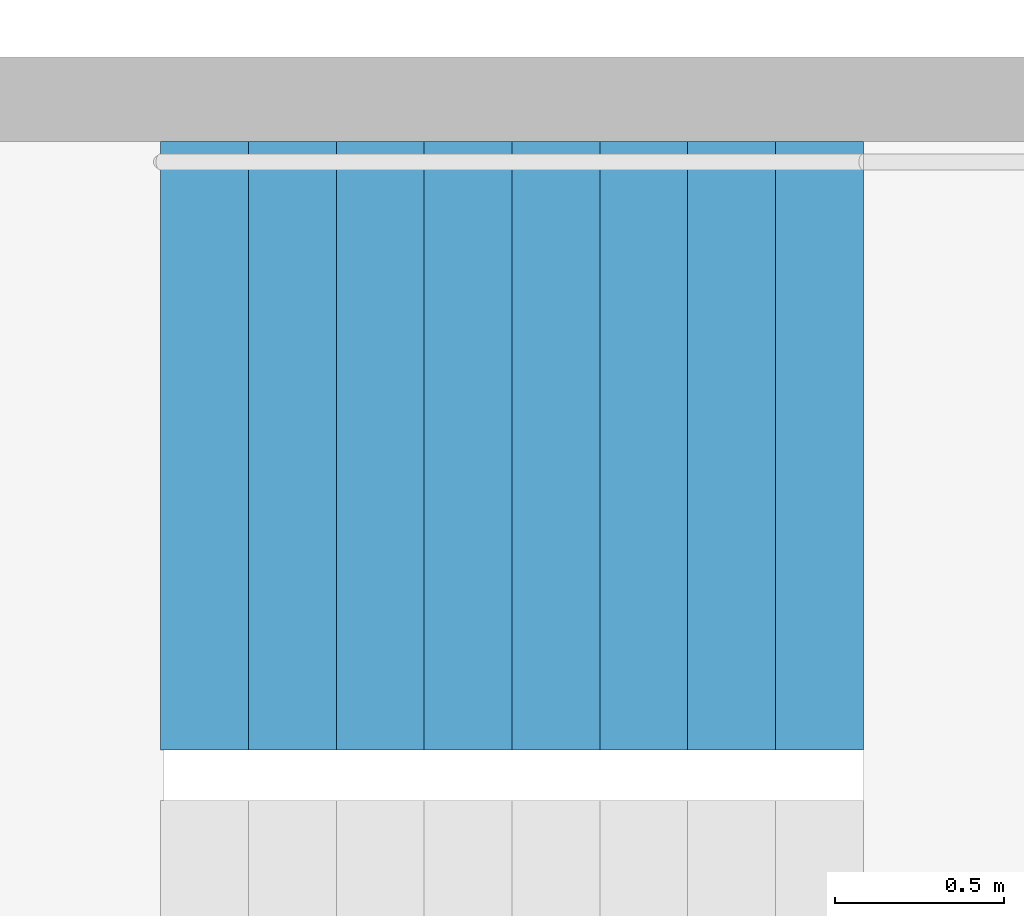
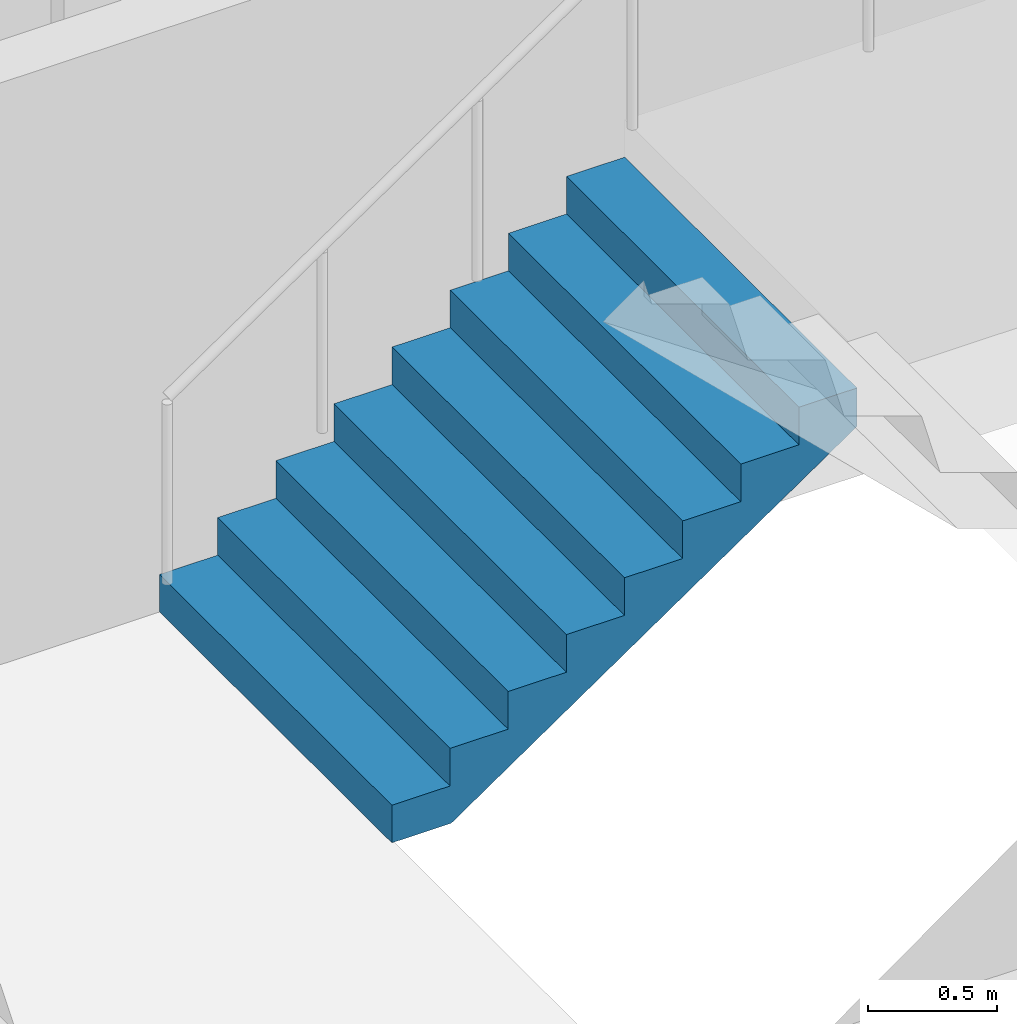
# One storey, part 23 of 26: 1 stair flight, 1 element without a shape of its own.
"""IFC4 building model written with IfcOpenShell, lengths in metres."""

import ifcopenshell
import ifcopenshell.guid

model = None  # the IFC model being written
_history = None  # IfcOwnerHistory: only IFC2X3 demands one
_inside = {}  # id of a spatial element -> (the spatial element, [elements in it])
_under = {}  # id of a project, library or spatial element -> (it, [spatial elements below it])
_declared = {}  # id of a project -> (the project, [libraries it declares])
_typed = {}  # id of a type object -> (the type object, [elements of that type])
_made_of = {}  # id of a material, layer set ... -> (it, [elements and type objects made of it])


def new_model(schema):
    """Start an empty IFC model of exactly this schema.

    Asked for "IFC4X3", IfcOpenShell would pick the latest addendum, in which some entities
    have other attributes; the version numbers below select the first issue.
    IFC2X3 requires an IfcOwnerHistory on every rooted entity: one is made here for all.
    """
    global model, _history
    if schema == "IFC4X3":
        model = ifcopenshell.file(schema_version=(4, 3, 0, 0))
    else:
        model = ifcopenshell.file(schema=schema)
    _inside.clear()
    _under.clear()
    _declared.clear()
    _typed.clear()
    _made_of.clear()
    _history = None
    if model.schema == "IFC2X3":
        org = make("IfcOrganization", Name="unknown")
        user = make(
            "IfcPersonAndOrganization",
            ThePerson=make("IfcPerson", FamilyName="unknown"),
            TheOrganization=org,
        )
        app = make(
            "IfcApplication",
            ApplicationDeveloper=org,
            Version="unknown",
            ApplicationFullName="unknown",
            ApplicationIdentifier="unknown",
        )
        _history = make(
            "IfcOwnerHistory",
            OwningUser=user,
            OwningApplication=app,
            ChangeAction="ADDED",
            CreationDate=0,
        )
    return model


def make(cls, **values):
    """One entity of the class cls with the attributes given. An attribute that is None is left unset."""
    return model.create_entity(
        cls, **{name: value for name, value in values.items() if value is not None}
    )


def rooted(cls, **values):
    """An entity with a GlobalId (a new one), such as an element, a storey or a relation."""
    return make(cls, GlobalId=ifcopenshell.guid.new(), OwnerHistory=_history, **values)


def si_unit(unit_type, name, prefix=None):
    """IfcSIUnit, for example si_unit("LENGTHUNIT", "METRE", prefix="MILLI")."""
    return make("IfcSIUnit", UnitType=unit_type, Prefix=prefix, Name=name)


def assignment(units):
    """IfcUnitAssignment: the units of a project."""
    return None if units is None else make("IfcUnitAssignment", Units=units)


def point(xyz):
    """IfcCartesianPoint."""
    return None if xyz is None else make("IfcCartesianPoint", Coordinates=xyz)


def direction(xyz):
    """IfcDirection."""
    return None if xyz is None else make("IfcDirection", DirectionRatios=xyz)


def frame(location, z_axis=None, x_axis=None):
    """IfcAxis2Placement3D, a coordinate frame: its origin and axes. An axis left out is left unset."""
    return make(
        "IfcAxis2Placement3D",
        Location=point(location),
        Axis=direction(z_axis),
        RefDirection=direction(x_axis),
    )


def origin():
    """The frame at (0, 0, 0) with its axes left unset."""
    return frame((0.0, 0.0, 0.0))


def place(relative_to, where):
    """IfcLocalPlacement: puts the frame where relative to a parent placement (None: the world)."""
    return make(
        "IfcLocalPlacement", PlacementRelTo=relative_to, RelativePlacement=where
    )


def context(
    kind, dimensions, precision=None, world=None, true_north=None, identifier=None
):
    """IfcGeometricRepresentationContext, for example the 3D "Model" context."""
    return make(
        "IfcGeometricRepresentationContext",
        ContextIdentifier=identifier,
        ContextType=kind,
        CoordinateSpaceDimension=dimensions,
        Precision=precision,
        WorldCoordinateSystem=world,
        TrueNorth=true_north,
    )


def subcontext(parent, identifier, kind, view, scale=None):
    """IfcGeometricRepresentationSubContext, for example "Body" below "Model"."""
    return make(
        "IfcGeometricRepresentationSubContext",
        ContextIdentifier=identifier,
        ContextType=kind,
        ParentContext=parent,
        TargetScale=scale,
        TargetView=view,
    )


def project(units=None, contexts=None):
    """IfcProject with its units and contexts."""
    return rooted(
        "IfcProject",
        Name="project",
        RepresentationContexts=contexts,
        UnitsInContext=assignment(units),
    )


def spatial(cls, under=None, at=None, **own):
    """A site, building, storey or space (cls), placed at a placement, below another one or the project."""
    s = rooted(cls, ObjectPlacement=at, **own)
    if under is not None:
        _under.setdefault(under.id(), (under, []))[1].append(s)
    return s


def point_list(points):
    """IfcCartesianPointList2D or 3D."""
    cls = (
        "IfcCartesianPointList2D" if len(points[0]) == 2 else "IfcCartesianPointList3D"
    )
    return make(cls, CoordList=points)


def triangles(points, corners, closed=None, point_numbers=None):
    """IfcTriangulatedFaceSet: each triangle names its three corners, points numbered from 1."""
    return make(
        "IfcTriangulatedFaceSet",
        Coordinates=point_list(points),
        Closed=closed,
        CoordIndex=corners,
        PnIndex=point_numbers,
    )


def shape(context_of_items, identifier, shape_type, items):
    """IfcShapeRepresentation: the items that make up one representation, for example the "Body"."""
    return make(
        "IfcShapeRepresentation",
        ContextOfItems=context_of_items,
        RepresentationIdentifier=identifier,
        RepresentationType=shape_type,
        Items=items,
    )


def material(Name=None, Category=None):
    """IfcMaterial."""
    return make("IfcMaterial", Name=Name, Category=Category)


def made_of(thing, what):
    """Note that an element or type object is made of a material, layer set ...; save() writes the relation."""
    if what is not None:
        _made_of.setdefault(what.id(), (what, []))[1].append(thing)
    return thing


def type_object(cls, material=None, **own):
    """A type object (cls), such as IfcWallType, which elements share."""
    return made_of(rooted(cls, **own), material)


def element(
    cls,
    number,
    at=None,
    inside=None,
    cuts=None,
    type_object=None,
    material=None,
    context=None,
    identifier="Body",
    shape_type=None,
    held_by="IfcProductDefinitionShape",
    body=None,
    shapes=None,
    **own,
):
    """One element of the class cls, such as IfcWall. Its Tag is "e" and its number.

    at: its placement. inside: the storey or other place that contains it. cuts: it is an
    opening in that element (IfcRelVoidsElement). A single representation is given by context,
    identifier, shape_type and body (its items); several are given by shapes. held_by: the class
    of the entity that holds the representations. save() writes the other relations.
    """
    e = rooted(cls, Tag="e%d" % number, ObjectPlacement=at, **own)
    if body is not None:
        shapes = [shape(context, identifier, shape_type, body)]
    if shapes is not None:
        e.Representation = make(held_by, Representations=shapes)
    if inside is not None:
        _inside.setdefault(inside.id(), (inside, []))[1].append(e)
    if cuts is not None:
        rooted(
            "IfcRelVoidsElement", RelatingBuildingElement=cuts, RelatedOpeningElement=e
        )
    if type_object is not None:
        _typed.setdefault(type_object.id(), (type_object, []))[1].append(e)
    return made_of(e, material)


def aggregate(whole, parts):
    """IfcRelAggregates: a whole, such as a stair, and the parts it consists of."""
    return rooted("IfcRelAggregates", RelatingObject=whole, RelatedObjects=parts)


def save(model, path):
    """Write the relations noted so far, then the file.

    IfcRelAggregates (storeys below a building ...), IfcRelContainedInSpatialStructure (elements
    in a storey), IfcRelDefinesByType, IfcRelAssociatesMaterial and IfcRelDeclares: one each for
    every whole, place, type object, material and project.
    """
    for whole, parts in _under.values():
        aggregate(whole, parts)
    for where, things in _inside.values():
        rooted(
            "IfcRelContainedInSpatialStructure",
            RelatedElements=things,
            RelatingStructure=where,
        )
    for kind, things in _typed.values():
        rooted("IfcRelDefinesByType", RelatedObjects=things, RelatingType=kind)
    for what, things in _made_of.values():
        rooted("IfcRelAssociatesMaterial", RelatedObjects=things, RelatingMaterial=what)
    for by, libraries in _declared.values():
        rooted("IfcRelDeclares", RelatingContext=by, RelatedDefinitions=libraries)
    model.write(path)


model = new_model("IFC4")

# Units and contexts
model_context = context("Model", 3, precision=1e-05, world=origin(), true_north=direction((0.0, 1.0)))
body_context = subcontext(model_context, "Body", "Model", "MODEL_VIEW")
ifc_project = project(units=[si_unit("LENGTHUNIT", "METRE"), si_unit("AREAUNIT", "SQUARE_METRE"), si_unit("VOLUMEUNIT", "CUBIC_METRE"), si_unit("PLANEANGLEUNIT", "RADIAN"), si_unit("MASSUNIT", "GRAM", prefix="KILO")], contexts=[model_context])

# Site, building, storey
site_placement = place(None, origin())
site = spatial("IfcSite", under=ifc_project, at=site_placement, CompositionType="ELEMENT")
building_placement = place(site_placement, origin())
building = spatial("IfcBuilding", under=site, at=building_placement, Name="Hakoniwa Tower and Hamabe Station Hall", CompositionType="ELEMENT")
storey_placement = place(building_placement, frame((0.0, 0.0, 189.800048828125)))
storey = spatial("IfcBuildingStorey", under=building, at=storey_placement, Name="L53", CompositionType="ELEMENT", Elevation=189.800048828125)

# Stair, stair flight
ifc_material_1 = material(Name="Concrete C40", Category="concrete")
stair_type = type_object("IfcStairType", Name="ESCAPE STAIR 1800", PredefinedType="HALF_TURN_STAIR", material=ifc_material_1)
stair_placement = place(storey_placement, origin())
stair = element("IfcStair", 1, at=stair_placement, inside=storey, type_object=stair_type, Name="Escape stair ST-4 L53", PredefinedType="HALF_TURN_STAIR")
ifc_material_2 = material(Name="Concrete C40", Category="concrete")
stair_flight_type = type_object("IfcStairFlightType", Name="STAIR FLIGHT 1800", PredefinedType="STRAIGHT", material=ifc_material_2)
stair_flight_placement = place(storey_placement, frame((23.39990234375, -4.64990234375, 0.0), z_axis=(0.0, 0.0, 1.0), x_axis=(1.0, 0.0, 0.0)))
stair_flight = element("IfcStairFlight", 2, at=stair_flight_placement, type_object=stair_flight_type, Name="ST-4 flight 1", NumberOfRisers=9, NumberOfTreads=8, PredefinedType="STRAIGHT", RiserHeight=0.177777778, TreadLength=0.26, context=body_context, shape_type="Tessellation", body=[
    triangles([(0.0, 0.89990234375, 0.0), (0.260009765625, 0.89990234375, 0.0), (0.265625, 0.89990234375, 0.0), (0.52001953125, 0.89990234375, 0.174072265625), (0.780029296875, 0.89990234375, 0.351806640625), (1.0400390625, 0.89990234375, 0.529541015625), (1.300048828125, 0.89990234375, 0.707275390625), (1.56005859375, 0.89990234375, 0.885009765625), (1.820068359375, 0.89990234375, 1.062744140625), (2.080078125, 0.89990234375, 1.24072265625), (2.080078125, 0.89990234375, 1.422119140625), (1.820068359375, 0.89990234375, 1.422119140625), (1.820068359375, 0.89990234375, 1.244384765625), (1.56005859375, 0.89990234375, 1.244384765625), (1.56005859375, 0.89990234375, 1.066650390625), (1.300048828125, 0.89990234375, 1.066650390625), (1.300048828125, 0.89990234375, 0.888916015625), (1.0400390625, 0.89990234375, 0.888916015625), (1.0400390625, 0.89990234375, 0.711181640625), (0.780029296875, 0.89990234375, 0.711181640625), (0.780029296875, 0.89990234375, 0.533447265625), (0.52001953125, 0.89990234375, 0.533447265625), (0.52001953125, 0.89990234375, 0.35546875), (0.265625, 0.89990234375, 0.35546875), (0.260009765625, 0.89990234375, 0.35546875), (0.260009765625, 0.89990234375, 0.177734375), (0.0, 0.89990234375, 0.177734375), (0.0, 0.06005859375, 0.0), (0.260009765625, 0.06005859375, 0.0), (0.265625, 0.06005859375, 0.0), (0.52001953125, 0.06005859375, 0.174072265625), (0.780029296875, 0.06005859375, 0.351806640625), (1.0400390625, 0.06005859375, 0.529541015625), (1.300048828125, 0.06005859375, 0.707275390625), (1.56005859375, 0.06005859375, 0.885009765625), (1.820068359375, 0.06005859375, 1.062744140625), (2.080078125, 0.06005859375, 1.24072265625), (2.080078125, 0.06005859375, 1.422119140625), (1.820068359375, 0.06005859375, 1.422119140625), (1.820068359375, 0.06005859375, 1.244384765625), (1.56005859375, 0.06005859375, 1.244384765625), (1.56005859375, 0.06005859375, 1.066650390625), (1.300048828125, 0.06005859375, 1.066650390625), (1.300048828125, 0.06005859375, 0.888916015625), (1.0400390625, 0.06005859375, 0.888916015625), (1.0400390625, 0.06005859375, 0.711181640625), (0.780029296875, 0.06005859375, 0.711181640625), (0.780029296875, 0.06005859375, 0.533447265625), (0.52001953125, 0.06005859375, 0.533447265625), (0.52001953125, 0.06005859375, 0.35546875), (0.265625, 0.06005859375, 0.35546875), (0.260009765625, 0.06005859375, 0.35546875), (0.260009765625, 0.06005859375, 0.177734375), (0.0, 0.06005859375, 0.177734375), (0.0, 0.04296875, 0.0), (0.260009765625, 0.04296875, 0.0), (0.265625, 0.04296875, 0.0), (0.52001953125, 0.04296875, 0.174072265625), (0.780029296875, 0.04296875, 0.351806640625), (1.0400390625, 0.04296875, 0.529541015625), (1.300048828125, 0.04296875, 0.707275390625), (1.56005859375, 0.04296875, 0.885009765625), (1.820068359375, 0.04296875, 1.062744140625), (2.080078125, 0.04296875, 1.24072265625), (2.080078125, 0.04296875, 1.422119140625), (1.820068359375, 0.04296875, 1.422119140625), (1.820068359375, 0.04296875, 1.244384765625), (1.56005859375, 0.04296875, 1.244384765625), (1.56005859375, 0.04296875, 1.066650390625), (1.300048828125, 0.04296875, 1.066650390625), (1.300048828125, 0.04296875, 0.888916015625), (1.0400390625, 0.04296875, 0.888916015625), (1.0400390625, 0.04296875, 0.711181640625), (0.780029296875, 0.04296875, 0.711181640625), (0.780029296875, 0.04296875, 0.533447265625), (0.52001953125, 0.04296875, 0.533447265625), (0.52001953125, 0.04296875, 0.35546875), (0.265625, 0.04296875, 0.35546875), (0.260009765625, 0.04296875, 0.35546875), (0.260009765625, 0.04296875, 0.177734375), (0.0, 0.04296875, 0.177734375), (0.0, 0.025634765625, 0.0), (0.260009765625, 0.025634765625, 0.0), (0.265625, 0.025634765625, 0.0), (0.52001953125, 0.025634765625, 0.174072265625), (0.780029296875, 0.025634765625, 0.351806640625), (1.0400390625, 0.025634765625, 0.529541015625), (1.300048828125, 0.025634765625, 0.707275390625), (1.56005859375, 0.025634765625, 0.885009765625), (1.820068359375, 0.025634765625, 1.062744140625), (2.080078125, 0.025634765625, 1.24072265625), (2.080078125, 0.025634765625, 1.422119140625), (1.820068359375, 0.025634765625, 1.422119140625), (1.820068359375, 0.025634765625, 1.244384765625), (1.56005859375, 0.025634765625, 1.244384765625), (1.56005859375, 0.025634765625, 1.066650390625), (1.300048828125, 0.025634765625, 1.066650390625), (1.300048828125, 0.025634765625, 0.888916015625), (1.0400390625, 0.025634765625, 0.888916015625), (1.0400390625, 0.025634765625, 0.711181640625), (0.780029296875, 0.025634765625, 0.711181640625), (0.780029296875, 0.025634765625, 0.533447265625), (0.52001953125, 0.025634765625, 0.533447265625), (0.52001953125, 0.025634765625, 0.35546875), (0.265625, 0.025634765625, 0.35546875), (0.260009765625, 0.025634765625, 0.35546875), (0.260009765625, 0.025634765625, 0.177734375), (0.0, 0.025634765625, 0.177734375), (0.0, 0.008544921875, 0.0), (0.260009765625, 0.008544921875, 0.0), (0.265625, 0.008544921875, 0.0), (0.52001953125, 0.008544921875, 0.174072265625), (0.780029296875, 0.008544921875, 0.351806640625), (1.0400390625, 0.008544921875, 0.529541015625), (1.300048828125, 0.008544921875, 0.707275390625), (1.56005859375, 0.008544921875, 0.885009765625), (1.820068359375, 0.008544921875, 1.062744140625), (2.080078125, 0.008544921875, 1.24072265625), (2.080078125, 0.008544921875, 1.422119140625), (1.820068359375, 0.008544921875, 1.422119140625), (1.820068359375, 0.008544921875, 1.244384765625), (1.56005859375, 0.008544921875, 1.244384765625), (1.56005859375, 0.008544921875, 1.066650390625), (1.300048828125, 0.008544921875, 1.066650390625), (1.300048828125, 0.008544921875, 0.888916015625), (1.0400390625, 0.008544921875, 0.888916015625), (1.0400390625, 0.008544921875, 0.711181640625), (0.780029296875, 0.008544921875, 0.711181640625), (0.780029296875, 0.008544921875, 0.533447265625), (0.52001953125, 0.008544921875, 0.533447265625), (0.52001953125, 0.008544921875, 0.35546875), (0.265625, 0.008544921875, 0.35546875), (0.260009765625, 0.008544921875, 0.35546875), (0.260009765625, 0.008544921875, 0.177734375), (0.0, 0.008544921875, 0.177734375), (0.0, -0.008544921875, 0.0), (0.260009765625, -0.008544921875, 0.0), (0.265625, -0.008544921875, 0.0), (0.52001953125, -0.008544921875, 0.174072265625), (0.780029296875, -0.008544921875, 0.351806640625), (1.0400390625, -0.008544921875, 0.529541015625), (1.300048828125, -0.008544921875, 0.707275390625), (1.56005859375, -0.008544921875, 0.885009765625), (1.820068359375, -0.008544921875, 1.062744140625), (2.080078125, -0.008544921875, 1.24072265625), (2.080078125, -0.008544921875, 1.422119140625), (1.820068359375, -0.008544921875, 1.422119140625), (1.820068359375, -0.008544921875, 1.244384765625), (1.56005859375, -0.008544921875, 1.244384765625), (1.56005859375, -0.008544921875, 1.066650390625), (1.300048828125, -0.008544921875, 1.066650390625), (1.300048828125, -0.008544921875, 0.888916015625), (1.0400390625, -0.008544921875, 0.888916015625), (1.0400390625, -0.008544921875, 0.711181640625), (0.780029296875, -0.008544921875, 0.711181640625), (0.780029296875, -0.008544921875, 0.533447265625), (0.52001953125, -0.008544921875, 0.533447265625), (0.52001953125, -0.008544921875, 0.35546875), (0.265625, -0.008544921875, 0.35546875), (0.260009765625, -0.008544921875, 0.35546875), (0.260009765625, -0.008544921875, 0.177734375), (0.0, -0.008544921875, 0.177734375), (0.0, -0.025634765625, 0.0), (0.260009765625, -0.025634765625, 0.0), (0.265625, -0.025634765625, 0.0), (0.52001953125, -0.025634765625, 0.174072265625), (0.780029296875, -0.025634765625, 0.351806640625), (1.0400390625, -0.025634765625, 0.529541015625), (1.300048828125, -0.025634765625, 0.707275390625), (1.56005859375, -0.025634765625, 0.885009765625), (1.820068359375, -0.025634765625, 1.062744140625), (2.080078125, -0.025634765625, 1.24072265625), (2.080078125, -0.025634765625, 1.422119140625), (1.820068359375, -0.025634765625, 1.422119140625), (1.820068359375, -0.025634765625, 1.244384765625), (1.56005859375, -0.025634765625, 1.244384765625), (1.56005859375, -0.025634765625, 1.066650390625), (1.300048828125, -0.025634765625, 1.066650390625), (1.300048828125, -0.025634765625, 0.888916015625), (1.0400390625, -0.025634765625, 0.888916015625), (1.0400390625, -0.025634765625, 0.711181640625), (0.780029296875, -0.025634765625, 0.711181640625), (0.780029296875, -0.025634765625, 0.533447265625), (0.52001953125, -0.025634765625, 0.533447265625), (0.52001953125, -0.025634765625, 0.35546875), (0.265625, -0.025634765625, 0.35546875), (0.260009765625, -0.025634765625, 0.35546875), (0.260009765625, -0.025634765625, 0.177734375), (0.0, -0.025634765625, 0.177734375), (0.0, -0.04296875, 0.0), (0.260009765625, -0.04296875, 0.0), (0.265625, -0.04296875, 0.0), (0.52001953125, -0.04296875, 0.174072265625), (0.780029296875, -0.04296875, 0.351806640625), (1.0400390625, -0.04296875, 0.529541015625), (1.300048828125, -0.04296875, 0.707275390625), (1.56005859375, -0.04296875, 0.885009765625), (1.820068359375, -0.04296875, 1.062744140625), (2.080078125, -0.04296875, 1.24072265625), (2.080078125, -0.04296875, 1.422119140625), (1.820068359375, -0.04296875, 1.422119140625), (1.820068359375, -0.04296875, 1.244384765625), (1.56005859375, -0.04296875, 1.244384765625), (1.56005859375, -0.04296875, 1.066650390625), (1.300048828125, -0.04296875, 1.066650390625), (1.300048828125, -0.04296875, 0.888916015625), (1.0400390625, -0.04296875, 0.888916015625), (1.0400390625, -0.04296875, 0.711181640625), (0.780029296875, -0.04296875, 0.711181640625), (0.780029296875, -0.04296875, 0.533447265625), (0.52001953125, -0.04296875, 0.533447265625), (0.52001953125, -0.04296875, 0.35546875), (0.265625, -0.04296875, 0.35546875), (0.260009765625, -0.04296875, 0.35546875), (0.260009765625, -0.04296875, 0.177734375), (0.0, -0.04296875, 0.177734375), (0.0, -0.06005859375, 0.0), (0.260009765625, -0.06005859375, 0.0), (0.265625, -0.06005859375, 0.0), (0.52001953125, -0.06005859375, 0.174072265625), (0.780029296875, -0.06005859375, 0.351806640625), (1.0400390625, -0.06005859375, 0.529541015625), (1.300048828125, -0.06005859375, 0.707275390625), (1.56005859375, -0.06005859375, 0.885009765625), (1.820068359375, -0.06005859375, 1.062744140625), (2.080078125, -0.06005859375, 1.24072265625), (2.080078125, -0.06005859375, 1.422119140625), (1.820068359375, -0.06005859375, 1.422119140625), (1.820068359375, -0.06005859375, 1.244384765625), (1.56005859375, -0.06005859375, 1.244384765625), (1.56005859375, -0.06005859375, 1.066650390625), (1.300048828125, -0.06005859375, 1.066650390625), (1.300048828125, -0.06005859375, 0.888916015625), (1.0400390625, -0.06005859375, 0.888916015625), (1.0400390625, -0.06005859375, 0.711181640625), (0.780029296875, -0.06005859375, 0.711181640625), (0.780029296875, -0.06005859375, 0.533447265625), (0.52001953125, -0.06005859375, 0.533447265625), (0.52001953125, -0.06005859375, 0.35546875), (0.265625, -0.06005859375, 0.35546875), (0.260009765625, -0.06005859375, 0.35546875), (0.260009765625, -0.06005859375, 0.177734375), (0.0, -0.06005859375, 0.177734375), (0.0, -0.89990234375, 0.0), (0.260009765625, -0.89990234375, 0.0), (0.265625, -0.89990234375, 0.0), (0.52001953125, -0.89990234375, 0.174072265625), (0.780029296875, -0.89990234375, 0.351806640625), (1.0400390625, -0.89990234375, 0.529541015625), (1.300048828125, -0.89990234375, 0.707275390625), (1.56005859375, -0.89990234375, 0.885009765625), (1.820068359375, -0.89990234375, 1.062744140625), (2.080078125, -0.89990234375, 1.24072265625), (2.080078125, -0.89990234375, 1.422119140625), (1.820068359375, -0.89990234375, 1.422119140625), (1.820068359375, -0.89990234375, 1.244384765625), (1.56005859375, -0.89990234375, 1.244384765625), (1.56005859375, -0.89990234375, 1.066650390625), (1.300048828125, -0.89990234375, 1.066650390625), (1.300048828125, -0.89990234375, 0.888916015625), (1.0400390625, -0.89990234375, 0.888916015625), (1.0400390625, -0.89990234375, 0.711181640625), (0.780029296875, -0.89990234375, 0.711181640625), (0.780029296875, -0.89990234375, 0.533447265625), (0.52001953125, -0.89990234375, 0.533447265625), (0.52001953125, -0.89990234375, 0.35546875), (0.265625, -0.89990234375, 0.35546875), (0.260009765625, -0.89990234375, 0.35546875), (0.260009765625, -0.89990234375, 0.177734375), (0.0, -0.89990234375, 0.177734375)], [[2, 27, 26], [245, 269, 270], [2, 1, 27], [245, 270, 244], [3, 25, 24], [246, 267, 268], [3, 26, 25], [246, 268, 269], [3, 2, 26], [246, 269, 245], [4, 24, 23], [247, 266, 267], [4, 3, 24], [247, 267, 246], [5, 22, 21], [248, 264, 265], [5, 23, 22], [248, 265, 266], [5, 4, 23], [248, 266, 247], [6, 20, 19], [249, 262, 263], [6, 21, 20], [249, 263, 264], [6, 5, 21], [249, 264, 248], [7, 18, 17], [250, 260, 261], [7, 19, 18], [250, 261, 262], [7, 6, 19], [250, 262, 249], [8, 16, 15], [251, 258, 259], [8, 17, 16], [251, 259, 260], [8, 7, 17], [251, 260, 250], [9, 14, 13], [252, 256, 257], [9, 15, 14], [252, 257, 258], [9, 8, 15], [252, 258, 251], [10, 12, 11], [253, 254, 255], [10, 13, 12], [253, 255, 256], [10, 9, 13], [253, 256, 252], [1, 2, 29], [1, 29, 28], [28, 29, 56], [28, 56, 55], [55, 56, 83], [55, 83, 82], [82, 83, 110], [82, 110, 109], [109, 110, 137], [109, 137, 136], [136, 137, 164], [136, 164, 163], [163, 164, 191], [163, 191, 190], [190, 191, 218], [190, 218, 217], [217, 218, 245], [217, 245, 244], [2, 3, 30], [2, 30, 29], [29, 30, 57], [29, 57, 56], [56, 57, 84], [56, 84, 83], [83, 84, 111], [83, 111, 110], [110, 111, 138], [110, 138, 137], [137, 138, 165], [137, 165, 164], [164, 165, 192], [164, 192, 191], [191, 192, 219], [191, 219, 218], [218, 219, 246], [218, 246, 245], [3, 4, 31], [3, 31, 30], [30, 31, 58], [30, 58, 57], [57, 58, 85], [57, 85, 84], [84, 85, 112], [84, 112, 111], [111, 112, 139], [111, 139, 138], [138, 139, 166], [138, 166, 165], [165, 166, 193], [165, 193, 192], [192, 193, 220], [192, 220, 219], [219, 220, 247], [219, 247, 246], [4, 5, 32], [4, 32, 31], [31, 32, 59], [31, 59, 58], [58, 59, 86], [58, 86, 85], [85, 86, 113], [85, 113, 112], [112, 113, 140], [112, 140, 139], [139, 140, 167], [139, 167, 166], [166, 167, 194], [166, 194, 193], [193, 194, 221], [193, 221, 220], [220, 221, 248], [220, 248, 247], [5, 6, 33], [5, 33, 32], [32, 33, 60], [32, 60, 59], [59, 60, 87], [59, 87, 86], [86, 87, 114], [86, 114, 113], [113, 114, 141], [113, 141, 140], [140, 141, 168], [140, 168, 167], [167, 168, 195], [167, 195, 194], [194, 195, 222], [194, 222, 221], [221, 222, 249], [221, 249, 248], [6, 7, 34], [6, 34, 33], [33, 34, 61], [33, 61, 60], [60, 61, 88], [60, 88, 87], [87, 88, 115], [87, 115, 114], [114, 115, 142], [114, 142, 141], [141, 142, 169], [141, 169, 168], [168, 169, 196], [168, 196, 195], [195, 196, 223], [195, 223, 222], [222, 223, 250], [222, 250, 249], [7, 8, 35], [7, 35, 34], [34, 35, 62], [34, 62, 61], [61, 62, 89], [61, 89, 88], [88, 89, 116], [88, 116, 115], [115, 116, 143], [115, 143, 142], [142, 143, 170], [142, 170, 169], [169, 170, 197], [169, 197, 196], [196, 197, 224], [196, 224, 223], [223, 224, 251], [223, 251, 250], [8, 9, 36], [8, 36, 35], [35, 36, 63], [35, 63, 62], [62, 63, 90], [62, 90, 89], [89, 90, 117], [89, 117, 116], [116, 117, 144], [116, 144, 143], [143, 144, 171], [143, 171, 170], [170, 171, 198], [170, 198, 197], [197, 198, 225], [197, 225, 224], [224, 225, 252], [224, 252, 251], [9, 10, 37], [9, 37, 36], [36, 37, 64], [36, 64, 63], [63, 64, 91], [63, 91, 90], [90, 91, 118], [90, 118, 117], [117, 118, 145], [117, 145, 144], [144, 145, 172], [144, 172, 171], [171, 172, 199], [171, 199, 198], [198, 199, 226], [198, 226, 225], [225, 226, 253], [225, 253, 252], [10, 11, 38], [10, 38, 37], [37, 38, 65], [37, 65, 64], [64, 65, 92], [64, 92, 91], [91, 92, 119], [91, 119, 118], [118, 119, 146], [118, 146, 145], [145, 146, 173], [145, 173, 172], [172, 173, 200], [172, 200, 199], [199, 200, 227], [199, 227, 226], [226, 227, 254], [226, 254, 253], [11, 12, 39], [11, 39, 38], [38, 39, 66], [38, 66, 65], [65, 66, 93], [65, 93, 92], [92, 93, 120], [92, 120, 119], [119, 120, 147], [119, 147, 146], [146, 147, 174], [146, 174, 173], [173, 174, 201], [173, 201, 200], [200, 201, 228], [200, 228, 227], [227, 228, 255], [227, 255, 254], [12, 13, 40], [12, 40, 39], [39, 40, 67], [39, 67, 66], [66, 67, 94], [66, 94, 93], [93, 94, 121], [93, 121, 120], [120, 121, 148], [120, 148, 147], [147, 148, 175], [147, 175, 174], [174, 175, 202], [174, 202, 201], [201, 202, 229], [201, 229, 228], [228, 229, 256], [228, 256, 255], [13, 14, 41], [13, 41, 40], [40, 41, 68], [40, 68, 67], [67, 68, 95], [67, 95, 94], [94, 95, 122], [94, 122, 121], [121, 122, 149], [121, 149, 148], [148, 149, 176], [148, 176, 175], [175, 176, 203], [175, 203, 202], [202, 203, 230], [202, 230, 229], [229, 230, 257], [229, 257, 256], [14, 15, 42], [14, 42, 41], [41, 42, 69], [41, 69, 68], [68, 69, 96], [68, 96, 95], [95, 96, 123], [95, 123, 122], [122, 123, 150], [122, 150, 149], [149, 150, 177], [149, 177, 176], [176, 177, 204], [176, 204, 203], [203, 204, 231], [203, 231, 230], [230, 231, 258], [230, 258, 257], [15, 16, 43], [15, 43, 42], [42, 43, 70], [42, 70, 69], [69, 70, 97], [69, 97, 96], [96, 97, 124], [96, 124, 123], [123, 124, 151], [123, 151, 150], [150, 151, 178], [150, 178, 177], [177, 178, 205], [177, 205, 204], [204, 205, 232], [204, 232, 231], [231, 232, 259], [231, 259, 258], [16, 17, 44], [16, 44, 43], [43, 44, 71], [43, 71, 70], [70, 71, 98], [70, 98, 97], [97, 98, 125], [97, 125, 124], [124, 125, 152], [124, 152, 151], [151, 152, 179], [151, 179, 178], [178, 179, 206], [178, 206, 205], [205, 206, 233], [205, 233, 232], [232, 233, 260], [232, 260, 259], [17, 18, 45], [17, 45, 44], [44, 45, 72], [44, 72, 71], [71, 72, 99], [71, 99, 98], [98, 99, 126], [98, 126, 125], [125, 126, 153], [125, 153, 152], [152, 153, 180], [152, 180, 179], [179, 180, 207], [179, 207, 206], [206, 207, 234], [206, 234, 233], [233, 234, 261], [233, 261, 260], [18, 19, 46], [18, 46, 45], [45, 46, 73], [45, 73, 72], [72, 73, 100], [72, 100, 99], [99, 100, 127], [99, 127, 126], [126, 127, 154], [126, 154, 153], [153, 154, 181], [153, 181, 180], [180, 181, 208], [180, 208, 207], [207, 208, 235], [207, 235, 234], [234, 235, 262], [234, 262, 261], [19, 20, 47], [19, 47, 46], [46, 47, 74], [46, 74, 73], [73, 74, 101], [73, 101, 100], [100, 101, 128], [100, 128, 127], [127, 128, 155], [127, 155, 154], [154, 155, 182], [154, 182, 181], [181, 182, 209], [181, 209, 208], [208, 209, 236], [208, 236, 235], [235, 236, 263], [235, 263, 262], [20, 21, 48], [20, 48, 47], [47, 48, 75], [47, 75, 74], [74, 75, 102], [74, 102, 101], [101, 102, 129], [101, 129, 128], [128, 129, 156], [128, 156, 155], [155, 156, 183], [155, 183, 182], [182, 183, 210], [182, 210, 209], [209, 210, 237], [209, 237, 236], [236, 237, 264], [236, 264, 263], [21, 22, 49], [21, 49, 48], [48, 49, 76], [48, 76, 75], [75, 76, 103], [75, 103, 102], [102, 103, 130], [102, 130, 129], [129, 130, 157], [129, 157, 156], [156, 157, 184], [156, 184, 183], [183, 184, 211], [183, 211, 210], [210, 211, 238], [210, 238, 237], [237, 238, 265], [237, 265, 264], [22, 23, 50], [22, 50, 49], [49, 50, 77], [49, 77, 76], [76, 77, 104], [76, 104, 103], [103, 104, 131], [103, 131, 130], [130, 131, 158], [130, 158, 157], [157, 158, 185], [157, 185, 184], [184, 185, 212], [184, 212, 211], [211, 212, 239], [211, 239, 238], [238, 239, 266], [238, 266, 265], [23, 24, 51], [23, 51, 50], [50, 51, 78], [50, 78, 77], [77, 78, 105], [77, 105, 104], [104, 105, 132], [104, 132, 131], [131, 132, 159], [131, 159, 158], [158, 159, 186], [158, 186, 185], [185, 186, 213], [185, 213, 212], [212, 213, 240], [212, 240, 239], [239, 240, 267], [239, 267, 266], [24, 25, 52], [24, 52, 51], [51, 52, 79], [51, 79, 78], [78, 79, 106], [78, 106, 105], [105, 106, 133], [105, 133, 132], [132, 133, 160], [132, 160, 159], [159, 160, 187], [159, 187, 186], [186, 187, 214], [186, 214, 213], [213, 214, 241], [213, 241, 240], [240, 241, 268], [240, 268, 267], [25, 26, 53], [25, 53, 52], [52, 53, 80], [52, 80, 79], [79, 80, 107], [79, 107, 106], [106, 107, 134], [106, 134, 133], [133, 134, 161], [133, 161, 160], [160, 161, 188], [160, 188, 187], [187, 188, 215], [187, 215, 214], [214, 215, 242], [214, 242, 241], [241, 242, 269], [241, 269, 268], [26, 27, 54], [26, 54, 53], [53, 54, 81], [53, 81, 80], [80, 81, 108], [80, 108, 107], [107, 108, 135], [107, 135, 134], [134, 135, 162], [134, 162, 161], [161, 162, 189], [161, 189, 188], [188, 189, 216], [188, 216, 215], [215, 216, 243], [215, 243, 242], [242, 243, 270], [242, 270, 269], [27, 1, 28], [27, 28, 54], [54, 28, 55], [54, 55, 81], [81, 55, 82], [81, 82, 108], [108, 82, 109], [108, 109, 135], [135, 109, 136], [135, 136, 162], [162, 136, 163], [162, 163, 189], [189, 163, 190], [189, 190, 216], [216, 190, 217], [216, 217, 243], [243, 217, 244], [243, 244, 270]], closed=True),
])
aggregate(stair, [stair_flight])

save(model, "model.ifc")
